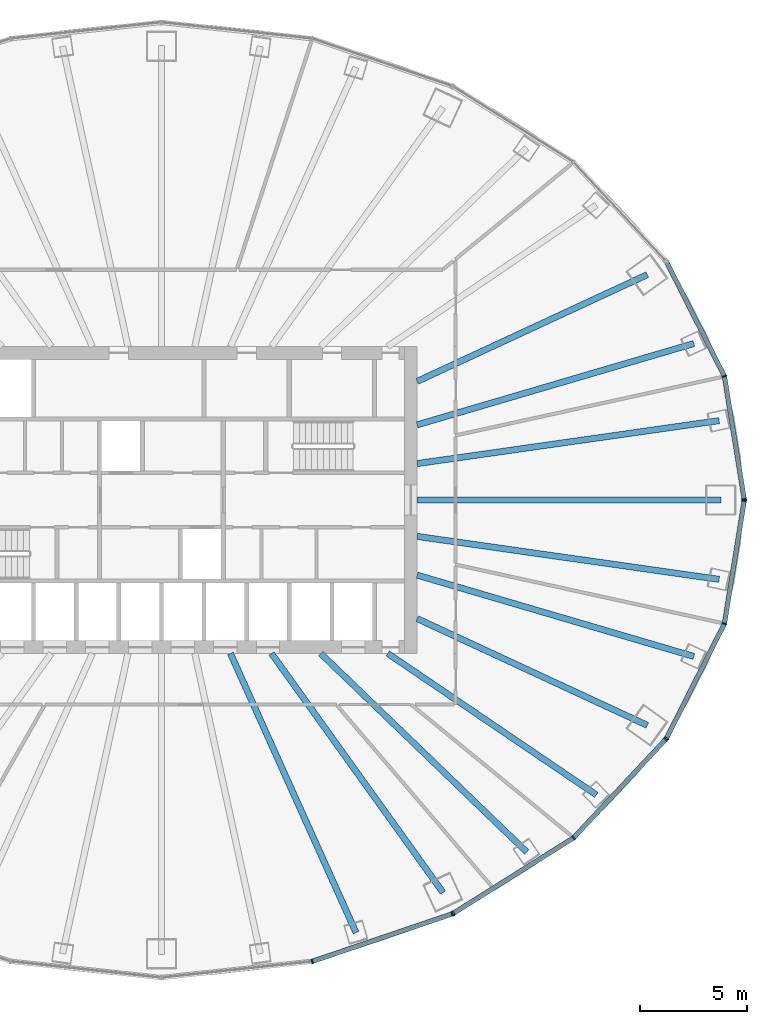
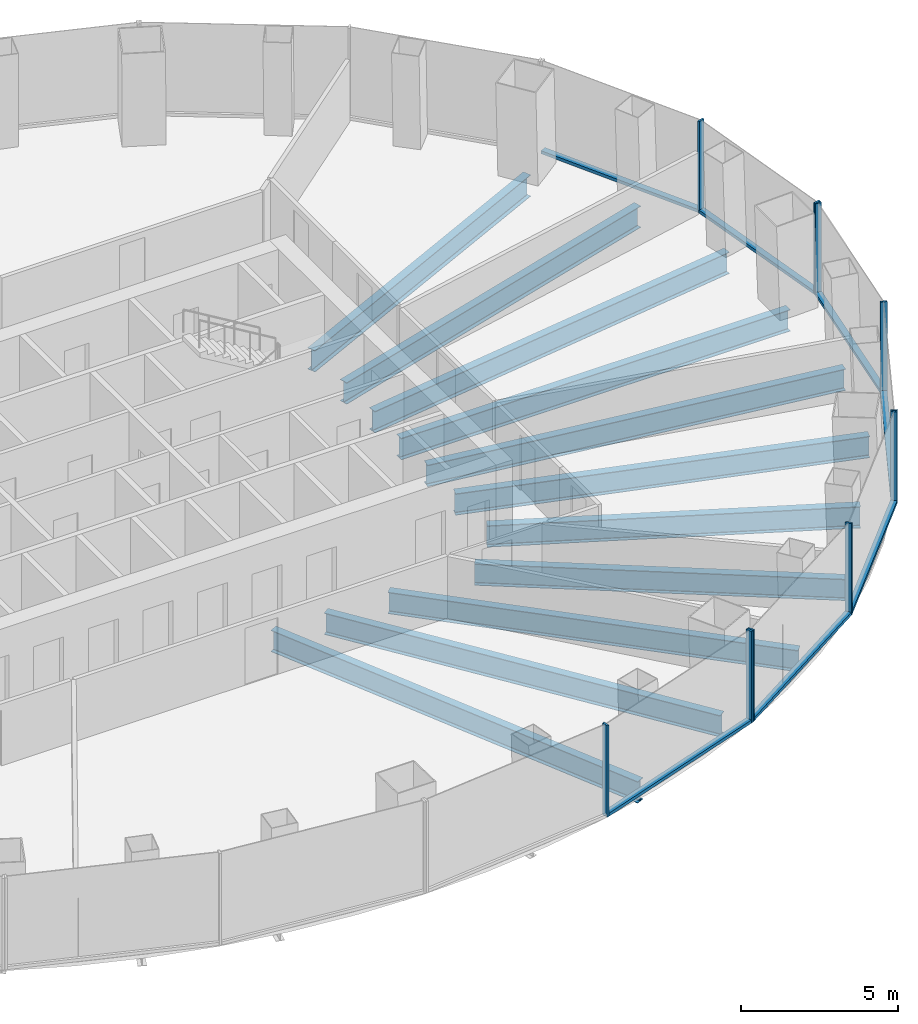
# One storey, part 4 of 11: 17 members, 11 beams, 4 elements without a shape of their own.
"""IFC4 building model written with IfcOpenShell, lengths in metres."""

from ifc_helpers import new_model, si_unit, direction, frame, origin, origin_2d, place, context, subcontext, project, spatial, rectangle, i_section, extrude, material, layer, layer_set, material_profile, profile_set, type_object, element, aggregate, save


model = new_model("IFC4")

# Units and contexts
model_context = context("Model", 3, precision=1e-05, world=origin(), true_north=direction((0.0, 1.0)))
body_context = subcontext(model_context, "Body", "Model", "MODEL_VIEW")
ifc_project = project(units=[si_unit("LENGTHUNIT", "METRE"), si_unit("AREAUNIT", "SQUARE_METRE"), si_unit("VOLUMEUNIT", "CUBIC_METRE"), si_unit("PLANEANGLEUNIT", "RADIAN"), si_unit("MASSUNIT", "GRAM", prefix="KILO")], contexts=[model_context])

# Site, building, storey
site_placement = place(None, origin())
site = spatial("IfcSite", under=ifc_project, at=site_placement, CompositionType="ELEMENT")
building_placement = place(site_placement, origin())
building = spatial("IfcBuilding", under=site, at=building_placement, Name="Siaravel Broadcast Tower", CompositionType="ELEMENT")
storey_placement = place(building_placement, frame((0.0, 0.0, 63.0)))
storey = spatial("IfcBuildingStorey", under=building, at=storey_placement, Name="L14", CompositionType="ELEMENT", Elevation=63.0)

# Beams
ifc_material_1 = material(Name="Steel S355", Category="steel")
ifc_material_profile_1 = material_profile(ifc_material_1, i_section(OverallWidth=0.291748046875, OverallDepth=0.8349609375, WebThickness=0.013916015625, FlangeThickness=0.018798828125, FilletRadius=0.017822265625, at=origin_2d()))
ifc_profile_set_1 = profile_set([ifc_material_profile_1], Name="Steel S355")
beam_type = type_object("IfcBeamType", Name="BM-UB 838x292x176", PredefinedType="BEAM", material=ifc_profile_set_1)
beam_1_placement = place(storey_placement, frame((26.26171875, 0.0, -0.5673828125), z_axis=(-1.0, 0.0, 0.0), x_axis=(0.0, -1.0, 0.0)))
element("IfcBeam", 1, at=beam_1_placement, inside=storey, type_object=beam_type, Name="Radial beam RB01", PredefinedType="BEAM", context=body_context, shape_type="SweptSolid", body=[
    extrude(i_section(OverallWidth=0.291748046875, OverallDepth=0.8349609375, WebThickness=0.013916015625, FlangeThickness=0.018798828125, FilletRadius=0.017822265625, at=origin_2d()), origin(), (0.0, 0.0, 1.0), 14.26171875),
])
beam_2_placement = place(storey_placement, frame((26.1640625, 3.723388671875, -0.5673828125), z_axis=(-0.990025799, -0.140886186, 0.0), x_axis=(0.140886186, -0.990025799, 0.0)))
element("IfcBeam", 2, at=beam_2_placement, inside=storey, type_object=beam_type, Name="Radial beam RB02", PredefinedType="BEAM", context=body_context, shape_type="SweptSolid", body=[
    extrude(i_section(OverallWidth=0.291748046875, OverallDepth=0.8349609375, WebThickness=0.013916015625, FlangeThickness=0.018798828125, FilletRadius=0.017822265625, at=origin_2d()), origin(), (0.0, 0.0, 1.0), 14.306640625),
])
beam_3_placement = place(storey_placement, frame((24.980712890625, 7.340576171875, -0.5673828125), z_axis=(-0.959433573, -0.281934777, 0.0), x_axis=(0.281934777, -0.959433573, 0.0)))
element("IfcBeam", 3, at=beam_3_placement, inside=storey, type_object=beam_type, Name="Radial beam RB03", PredefinedType="BEAM", context=body_context, shape_type="SweptSolid", body=[
    extrude(i_section(OverallWidth=0.291748046875, OverallDepth=0.8349609375, WebThickness=0.013916015625, FlangeThickness=0.018798828125, FilletRadius=0.017822265625, at=origin_2d()), origin(), (0.0, 0.0, 1.0), 13.529541015625),
])
beam_4_placement = place(storey_placement, frame((22.796875, 10.572509765625, -0.5673828125), z_axis=(-0.907185738, -0.420730361, 0.0), x_axis=(0.420730361, -0.907185738, 0.0)))
element("IfcBeam", 4, at=beam_4_placement, inside=storey, type_object=beam_type, Name="Radial beam RB04", PredefinedType="BEAM", context=body_context, shape_type="SweptSolid", body=[
    extrude(i_section(OverallWidth=0.291748046875, OverallDepth=0.8349609375, WebThickness=0.013916015625, FlangeThickness=0.018798828125, FilletRadius=0.017822265625, at=origin_2d()), origin(), (0.0, 0.0, 1.0), 11.901611328125),
])
beam_5_placement = place(storey_placement, frame((9.129638671875, -20.294189453125, -0.5673828125), z_axis=(-0.410261452, 0.91196795, 0.0), x_axis=(-0.91196795, -0.410261452, 0.0)))
element("IfcBeam", 5, at=beam_5_placement, inside=storey, type_object=beam_type, Name="Radial beam RB30", PredefinedType="BEAM", context=body_context, shape_type="SweptSolid", body=[
    extrude(i_section(OverallWidth=0.291748046875, OverallDepth=0.8349609375, WebThickness=0.013916015625, FlangeThickness=0.018798828125, FilletRadius=0.017822265625, at=origin_2d()), origin(), (0.0, 0.0, 1.0), 14.358154296875),
])
beam_6_placement = place(storey_placement, frame((13.210693359375, -18.415283203125, -0.5673828125), z_axis=(-0.582901783, 0.812542622, 0.0), x_axis=(-0.812542622, -0.582901783, 0.0)))
element("IfcBeam", 6, at=beam_6_placement, inside=storey, type_object=beam_type, Name="Radial beam RB31", PredefinedType="BEAM", context=body_context, shape_type="SweptSolid", body=[
    extrude(i_section(OverallWidth=0.291748046875, OverallDepth=0.8349609375, WebThickness=0.013916015625, FlangeThickness=0.018798828125, FilletRadius=0.017822265625, at=origin_2d()), origin(), (0.0, 0.0, 1.0), 13.802734375),
])
beam_7_placement = place(storey_placement, frame((17.134765625, -16.509521484375, -0.5673828125), z_axis=(-0.720122192, 0.693847266, 0.0), x_axis=(-0.693847266, -0.720122192, 0.0)))
element("IfcBeam", 7, at=beam_7_placement, inside=storey, type_object=beam_type, Name="Radial beam RB32", PredefinedType="BEAM", context=body_context, shape_type="SweptSolid", body=[
    extrude(i_section(OverallWidth=0.291748046875, OverallDepth=0.8349609375, WebThickness=0.013916015625, FlangeThickness=0.018798828125, FilletRadius=0.017822265625, at=origin_2d()), origin(), (0.0, 0.0, 1.0), 13.417236328125),
])
beam_8_placement = place(storey_placement, frame((20.401611328125, -13.833984375, -0.5673828125), z_axis=(-0.82766183, 0.561227133, 0.0), x_axis=(-0.561227133, -0.82766183, 0.0)))
element("IfcBeam", 8, at=beam_8_placement, inside=storey, type_object=beam_type, Name="Radial beam RB33", PredefinedType="BEAM", context=body_context, shape_type="SweptSolid", body=[
    extrude(i_section(OverallWidth=0.291748046875, OverallDepth=0.8349609375, WebThickness=0.013916015625, FlangeThickness=0.018798828125, FilletRadius=0.017822265625, at=origin_2d()), origin(), (0.0, 0.0, 1.0), 11.820556640625),
])
beam_9_placement = place(storey_placement, frame((22.796875, -10.572509765625, -0.5673828125), z_axis=(-0.907185738, 0.420730361, 0.0), x_axis=(-0.420730361, -0.907185738, 0.0)))
element("IfcBeam", 9, at=beam_9_placement, inside=storey, type_object=beam_type, Name="Radial beam RB34", PredefinedType="BEAM", context=body_context, shape_type="SweptSolid", body=[
    extrude(i_section(OverallWidth=0.291748046875, OverallDepth=0.8349609375, WebThickness=0.013916015625, FlangeThickness=0.018798828125, FilletRadius=0.017822265625, at=origin_2d()), origin(), (0.0, 0.0, 1.0), 11.901611328125),
])
beam_10_placement = place(storey_placement, frame((24.980712890625, -7.340576171875, -0.5673828125), z_axis=(-0.959433573, 0.281934777, 0.0), x_axis=(-0.281934777, -0.959433573, 0.0)))
element("IfcBeam", 10, at=beam_10_placement, inside=storey, type_object=beam_type, Name="Radial beam RB35", PredefinedType="BEAM", context=body_context, shape_type="SweptSolid", body=[
    extrude(i_section(OverallWidth=0.291748046875, OverallDepth=0.8349609375, WebThickness=0.013916015625, FlangeThickness=0.018798828125, FilletRadius=0.017822265625, at=origin_2d()), origin(), (0.0, 0.0, 1.0), 13.529541015625),
])
beam_11_placement = place(storey_placement, frame((26.1640625, -3.723388671875, -0.5673828125), z_axis=(-0.990025799, 0.140886186, 0.0), x_axis=(-0.140886186, -0.990025799, 0.0)))
element("IfcBeam", 11, at=beam_11_placement, inside=storey, type_object=beam_type, Name="Radial beam RB36", PredefinedType="BEAM", context=body_context, shape_type="SweptSolid", body=[
    extrude(i_section(OverallWidth=0.291748046875, OverallDepth=0.8349609375, WebThickness=0.013916015625, FlangeThickness=0.018798828125, FilletRadius=0.017822265625, at=origin_2d()), origin(), (0.0, 0.0, 1.0), 14.306640625),
])

# Curtain wall, members
ifc_material_2 = material(Name="Aluminium 6063-T6", Category="aluminium")
ifc_layer = layer(ifc_material_2, 0.219970703125)
ifc_layer_set = layer_set([ifc_layer], Name="Aluminium 6063-T6")
curtain_wall_type = type_object("IfcCurtainWallType", Name="Unitised curtain wall, zone 1", PredefinedType="NOTDEFINED", material=ifc_layer_set)
curtain_wall_1_placement = place(storey_placement, origin())
curtain_wall_1 = element("IfcCurtainWall", 12, at=curtain_wall_1_placement, inside=storey, type_object=curtain_wall_type, Name="L14 Unitised curtain wall, zone 1 01", PredefinedType="NOTDEFINED")
ifc_material_profile_2 = material_profile(ifc_material_2, rectangle(XDim=0.219970703125, YDim=0.070068359375, at=origin_2d()))
ifc_profile_set_2 = profile_set([ifc_material_profile_2], Name="Aluminium 6063-T6")
member_type_1 = type_object("IfcMemberType", Name="CW-Z1 mullion", PredefinedType="MULLION", material=ifc_profile_set_2)
member_1_placement = place(storey_placement, frame((27.34228515625, 0.03466796875, 0.0), z_axis=(0.0, 0.0, 1.0), x_axis=(-0.987329063, -0.158686233, 0.0)))
member_1 = element("IfcMember", 13, at=member_1_placement, type_object=member_type_1, Name="CW-Z1 mullion 1", PredefinedType="MULLION", context=body_context, shape_type="SweptSolid", body=[
    extrude(rectangle(XDim=0.219970703125, YDim=0.070068359375, at=origin_2d()), origin(), (0.0, 0.0, 1.0), 3.550048828125),
])
member_2_placement = place(storey_placement, frame((26.415283203125, 5.802734375, 0.0), z_axis=(0.0, 0.0, 1.0), x_axis=(-0.95117683, -0.30864646, 0.0)))
member_2 = element("IfcMember", 14, at=member_2_placement, type_object=member_type_1, Name="CW-Z1 mullion 2", PredefinedType="MULLION", context=body_context, shape_type="SweptSolid", body=[
    extrude(rectangle(XDim=0.219970703125, YDim=0.070068359375, at=origin_2d()), origin(), (0.0, 0.0, 1.0), 3.550048828125),
])

curtain_wall_2_placement = place(storey_placement, origin())
curtain_wall_2 = element("IfcCurtainWall", 15, at=curtain_wall_2_placement, inside=storey, type_object=curtain_wall_type, Name="L14 Unitised curtain wall, zone 1 10", PredefinedType="NOTDEFINED")
member_3_placement = place(storey_placement, frame((7.075927734375, -21.646728515625, 0.0), z_axis=(0.0, 0.0, 1.0), x_axis=(-0.215557455, 0.976491159, 0.0)))
member_3 = element("IfcMember", 16, at=member_3_placement, type_object=member_type_1, Name="CW-Z1 mullion 2", PredefinedType="MULLION", context=body_context, shape_type="SweptSolid", body=[
    extrude(rectangle(XDim=0.219970703125, YDim=0.070068359375, at=origin_2d()), origin(), (0.0, 0.0, 1.0), 3.550048828125),
])
member_4_placement = place(storey_placement, frame((13.63720703125, -19.420654296875, 0.0), z_axis=(0.0, 0.0, 1.0), x_axis=(-0.321299732, 0.946977551, 0.0)))
member_4 = element("IfcMember", 17, at=member_4_placement, type_object=member_type_1, Name="CW-Z1 mullion 3", PredefinedType="MULLION", context=body_context, shape_type="SweptSolid", body=[
    extrude(rectangle(XDim=0.219970703125, YDim=0.070068359375, at=origin_2d()), origin(), (0.0, 0.0, 1.0), 3.550048828125),
])

curtain_wall_3_placement = place(storey_placement, origin())
curtain_wall_3 = element("IfcCurtainWall", 18, at=curtain_wall_3_placement, inside=storey, type_object=curtain_wall_type, Name="L14 Unitised curtain wall, zone 1 11", PredefinedType="NOTDEFINED")
member_5_placement = place(storey_placement, frame((13.699951171875, -19.390869140625, 0.0), z_axis=(0.0, 0.0, 1.0), x_axis=(-0.532147932, 0.846651392, 0.0)))
member_5 = element("IfcMember", 19, at=member_5_placement, type_object=member_type_1, Name="CW-Z1 mullion 1", PredefinedType="MULLION", context=body_context, shape_type="SweptSolid", body=[
    extrude(rectangle(XDim=0.219970703125, YDim=0.070068359375, at=origin_2d()), origin(), (0.0, 0.0, 1.0), 3.550048828125),
])
member_6_placement = place(storey_placement, frame((19.333984375, -15.849609375, 0.0), z_axis=(0.0, 0.0, 1.0), x_axis=(-0.636217305, 0.77150991, 0.0)))
member_6 = element("IfcMember", 20, at=member_6_placement, type_object=member_type_1, Name="CW-Z1 mullion 2", PredefinedType="MULLION", context=body_context, shape_type="SweptSolid", body=[
    extrude(rectangle(XDim=0.219970703125, YDim=0.070068359375, at=origin_2d()), origin(), (0.0, 0.0, 1.0), 3.550048828125),
])
member_7_placement = place(storey_placement, frame((23.657470703125, -11.234375, 0.0), z_axis=(0.0, 0.0, 1.0), x_axis=(-0.729803931, 0.683656509, 0.0)))
member_7 = element("IfcMember", 21, at=member_7_placement, type_object=member_type_1, Name="CW-Z1 mullion 3", PredefinedType="MULLION", context=body_context, shape_type="SweptSolid", body=[
    extrude(rectangle(XDim=0.219970703125, YDim=0.070068359375, at=origin_2d()), origin(), (0.0, 0.0, 1.0), 3.550048828125),
])

curtain_wall_4_placement = place(storey_placement, origin())
curtain_wall_4 = element("IfcCurtainWall", 22, at=curtain_wall_4_placement, inside=storey, type_object=curtain_wall_type, Name="L14 Unitised curtain wall, zone 1 12", PredefinedType="NOTDEFINED")
member_8_placement = place(storey_placement, frame((23.697265625, -11.177490234375, 0.0), z_axis=(0.0, 0.0, 1.0), x_axis=(-0.892391293, 0.451262428, 0.0)))
member_8 = element("IfcMember", 23, at=member_8_placement, type_object=member_type_1, Name="CW-Z1 mullion 1", PredefinedType="MULLION", context=body_context, shape_type="SweptSolid", body=[
    extrude(rectangle(XDim=0.219970703125, YDim=0.070068359375, at=origin_2d()), origin(), (0.0, 0.0, 1.0), 3.550048828125),
])
member_9_placement = place(storey_placement, frame((26.415283203125, -5.802734375, 0.0), z_axis=(0.0, 0.0, 1.0), x_axis=(-0.95117683, 0.30864646, 0.0)))
member_9 = element("IfcMember", 24, at=member_9_placement, type_object=member_type_1, Name="CW-Z1 mullion 2", PredefinedType="MULLION", context=body_context, shape_type="SweptSolid", body=[
    extrude(rectangle(XDim=0.219970703125, YDim=0.070068359375, at=origin_2d()), origin(), (0.0, 0.0, 1.0), 3.550048828125),
])
member_10_placement = place(storey_placement, frame((27.34228515625, -0.03466796875, 0.0), z_axis=(0.0, 0.0, 1.0), x_axis=(-0.987329063, 0.158686233, 0.0)))
member_10 = element("IfcMember", 25, at=member_10_placement, type_object=member_type_1, Name="CW-Z1 mullion 3", PredefinedType="MULLION", context=body_context, shape_type="SweptSolid", body=[
    extrude(rectangle(XDim=0.219970703125, YDim=0.070068359375, at=origin_2d()), origin(), (0.0, 0.0, 1.0), 3.550048828125),
])

# Member
ifc_material_profile_3 = material_profile(ifc_material_2, rectangle(XDim=0.219970703125, YDim=0.1201171875, at=origin_2d()))
ifc_profile_set_3 = profile_set([ifc_material_profile_3], Name="Aluminium 6063-T6")
member_type_2 = type_object("IfcMemberType", Name="CW-Z1 transom", PredefinedType="USERDEFINED", material=ifc_profile_set_3)
member_11_placement = place(storey_placement, frame((27.336669921875, 0.069091796875, 0.06005859375), z_axis=(-0.158689875, 0.987328478, 0.0), x_axis=(-0.987328478, -0.158689875, 0.0)))
member_11 = element("IfcMember", 26, at=member_11_placement, type_object=member_type_2, Name="CW-Z1 transom 1", ObjectType="TRANSOM", PredefinedType="USERDEFINED", context=body_context, shape_type="SweptSolid", body=[
    extrude(rectangle(XDim=0.219970703125, YDim=0.1201171875, at=origin_2d()), origin(), (0.0, 0.0, 1.0), 5.7724609375),
])

member_12_placement = place(storey_placement, frame((26.3994140625, 5.833984375, 0.06005859375), z_axis=(-0.451293706, 0.892375477, 0.0), x_axis=(-0.892375477, -0.451293706, 0.0)))
member_12 = element("IfcMember", 27, at=member_12_placement, type_object=member_type_2, Name="CW-Z1 transom 2", ObjectType="TRANSOM", PredefinedType="USERDEFINED", context=body_context, shape_type="SweptSolid", body=[
    extrude(rectangle(XDim=0.219970703125, YDim=0.1201171875, at=origin_2d()), origin(), (0.0, 0.0, 1.0), 5.952880859375),
])

aggregate(curtain_wall_1, [member_1, member_2, member_11, member_12])

member_13_placement = place(storey_placement, frame((7.109130859375, -21.635498046875, 0.06005859375), z_axis=(0.946978894, 0.321295775, 0.0), x_axis=(-0.321295775, 0.946978894, 0.0)))
member_13 = element("IfcMember", 28, at=member_13_placement, type_object=member_type_2, Name="CW-Z1 transom 2", ObjectType="TRANSOM", PredefinedType="USERDEFINED", context=body_context, shape_type="SweptSolid", body=[
    extrude(rectangle(XDim=0.219970703125, YDim=0.1201171875, at=origin_2d()), origin(), (0.0, 0.0, 1.0), 6.8583984375),
])

aggregate(curtain_wall_2, [member_3, member_4, member_13])

member_14_placement = place(storey_placement, frame((13.7294921875, -19.372314453125, 0.06005859375), z_axis=(0.846643708, 0.532160155, 0.0), x_axis=(-0.532160155, 0.846643708, 0.0)))
member_14 = element("IfcMember", 29, at=member_14_placement, type_object=member_type_2, Name="CW-Z1 transom 1", ObjectType="TRANSOM", PredefinedType="USERDEFINED", context=body_context, shape_type="SweptSolid", body=[
    extrude(rectangle(XDim=0.219970703125, YDim=0.1201171875, at=origin_2d()), origin(), (0.0, 0.0, 1.0), 6.584716796875),
])

member_15_placement = place(storey_placement, frame((19.358154296875, -15.823974609375, 0.06005859375), z_axis=(0.683638503, 0.729820798, 0.0), x_axis=(-0.729820798, 0.683638503, 0.0)))
member_15 = element("IfcMember", 30, at=member_15_placement, type_object=member_type_2, Name="CW-Z1 transom 2", ObjectType="TRANSOM", PredefinedType="USERDEFINED", context=body_context, shape_type="SweptSolid", body=[
    extrude(rectangle(XDim=0.219970703125, YDim=0.1201171875, at=origin_2d()), origin(), (0.0, 0.0, 1.0), 6.25390625),
])

aggregate(curtain_wall_3, [member_5, member_6, member_7, member_14, member_15])

member_16_placement = place(storey_placement, frame((23.712890625, -11.146240234375, 0.06005859375), z_axis=(0.451293706, 0.892375477, 0.0), x_axis=(-0.892375477, 0.451293706, 0.0)))
member_16 = element("IfcMember", 31, at=member_16_placement, type_object=member_type_2, Name="CW-Z1 transom 1", ObjectType="TRANSOM", PredefinedType="USERDEFINED", context=body_context, shape_type="SweptSolid", body=[
    extrude(rectangle(XDim=0.219970703125, YDim=0.1201171875, at=origin_2d()), origin(), (0.0, 0.0, 1.0), 5.952880859375),
])

member_17_placement = place(storey_placement, frame((26.420654296875, -5.768310546875, 0.06005859375), z_axis=(0.158689875, 0.987328478, 0.0), x_axis=(-0.987328478, 0.158689875, 0.0)))
member_17 = element("IfcMember", 32, at=member_17_placement, type_object=member_type_2, Name="CW-Z1 transom 2", ObjectType="TRANSOM", PredefinedType="USERDEFINED", context=body_context, shape_type="SweptSolid", body=[
    extrude(rectangle(XDim=0.219970703125, YDim=0.1201171875, at=origin_2d()), origin(), (0.0, 0.0, 1.0), 5.7724609375),
])

aggregate(curtain_wall_4, [member_8, member_9, member_10, member_16, member_17])

save(model, "model.ifc")
